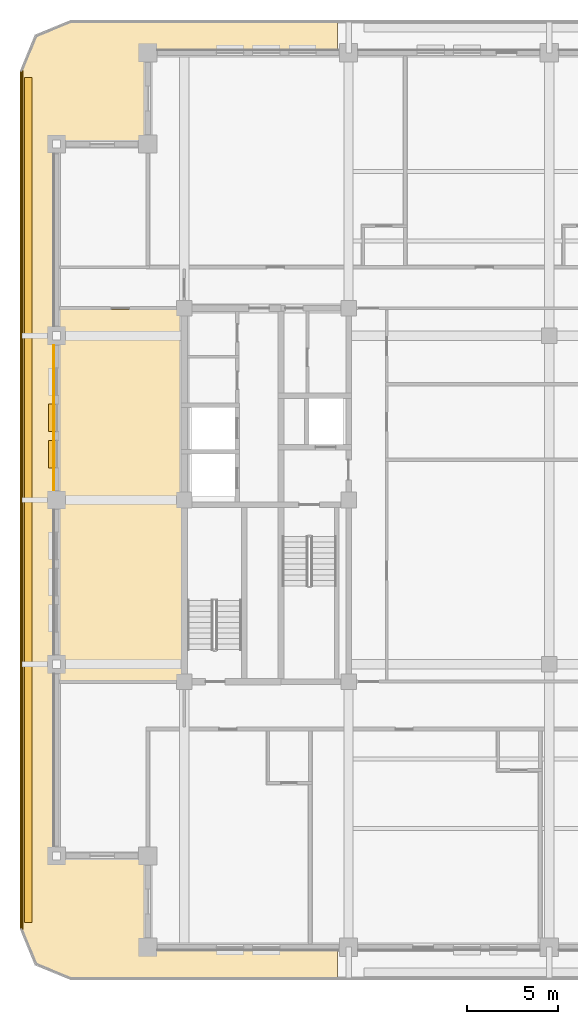
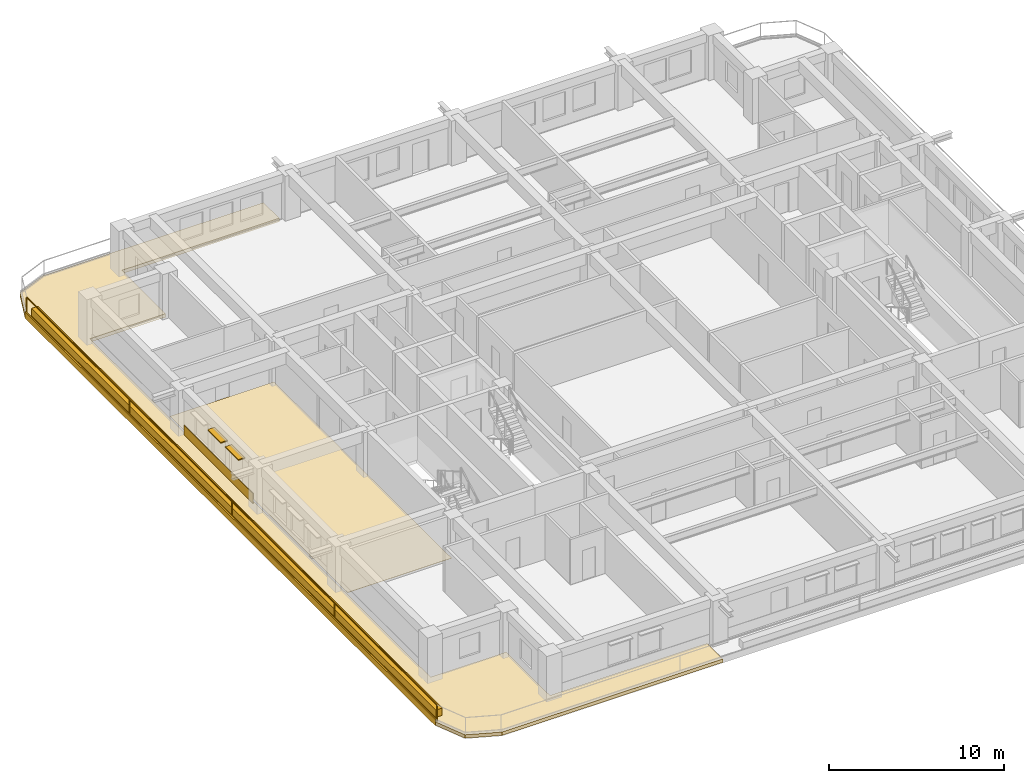
# One storey, part 10 of 14: 5 coverings, 2 shading devices, 1 railing.
"""IFC4 building model written with IfcOpenShell, lengths in metres."""

from ifc_helpers import new_model, si_unit, direction, frame, frame_2d, origin, origin_2d, place, context, subcontext, project, spatial, polyline, rectangle, outline, extrude, material, layer, layer_set, type_object, element, save


model = new_model("IFC4")

# Units and contexts
model_context = context("Model", 3, precision=1e-05, world=origin(), true_north=direction((0.0, 1.0)))
body_context = subcontext(model_context, "Body", "Model", "MODEL_VIEW")
ifc_project = project(units=[si_unit("LENGTHUNIT", "METRE"), si_unit("AREAUNIT", "SQUARE_METRE"), si_unit("VOLUMEUNIT", "CUBIC_METRE"), si_unit("PLANEANGLEUNIT", "RADIAN"), si_unit("MASSUNIT", "GRAM", prefix="KILO")], contexts=[model_context])

# Site, building, storey
site_placement = place(None, origin())
site = spatial("IfcSite", under=ifc_project, at=site_placement, CompositionType="ELEMENT")
building_placement = place(site_placement, origin())
building = spatial("IfcBuilding", under=site, at=building_placement, Name="Zulmaris Gate Convention Tower", CompositionType="ELEMENT")
storey_placement = place(building_placement, frame((0.0, 0.0, 198.260009765625)))
storey = spatial("IfcBuildingStorey", under=building, at=storey_placement, Name="L51", CompositionType="ELEMENT", Elevation=198.260009765625)

# Coverings
ifc_material_1 = material(Name="Precast concrete C40/50", Category="concrete")
ifc_layer_1 = layer(ifc_material_1, 0.0400390625, Name="Precast concrete C40/50")
ifc_layer_set_1 = layer_set([ifc_layer_1], Name="Precast concrete C40/50")
covering_type_1 = type_object("IfcCoveringType", Name="CLAD-SPANDREL-PRECAST", PredefinedType="CLADDING", material=ifc_layer_set_1)
covering_1_placement = place(storey_placement, frame((-27.14990234375, 8.469970703125, 0.0), z_axis=(0.0, 0.0, 1.0), x_axis=(0.0, -1.0, 0.0)))
element("IfcCovering", 1, at=covering_1_placement, inside=storey, type_object=covering_type_1, Name="CLD-L51-W-2_0", PredefinedType="CLADDING", context=body_context, shape_type="SweptSolid", body=[
    extrude(rectangle(XDim=7.93994140625, YDim=0.0400390625, at=frame_2d((3.969970703125, 0.0))), origin(), (0.0, 0.0, 1.0), 0.679931640625),
])
ifc_material_2 = material(Name="White Glazed Architectural Precast Concrete C40/50", Category="concrete")
ifc_layer_2 = layer(ifc_material_2, 0.239990234375, Name="White Glazed Architectural Precast Concrete C40/50")
ifc_layer_set_2 = layer_set([ifc_layer_2], Name="White Glazed Architectural Precast Concrete C40/50")
covering_type_2 = type_object("IfcCoveringType", Name="CLAD-TRAY-DECK", PredefinedType="CLADDING", material=ifc_layer_set_2)
covering_2_placement = place(storey_placement, frame((0.0, 0.0, -0.27490234375)))
element("IfcCovering", 2, at=covering_2_placement, inside=storey, type_object=covering_type_2, Name="L51 West Rounded-Fascia Planter Tray Deck", PredefinedType="CLADDING", context=body_context, shape_type="SweptSolid", body=[
    extrude(outline(polyline([(-29.0, 23.5), (-28.179931640625, 25.47998046875), (-26.199951171875, 26.300048828125), (-11.60205078125, 26.300048828125), (-11.60205078125, 24.5), (-22.0, 24.5), (-22.0, 19.5), (-27.0, 19.5), (-27.0, -19.5), (-22.0, -19.5), (-22.0, -24.5), (-11.60205078125, -24.5), (-11.60205078125, -26.300048828125), (-26.199951171875, -26.300048828125), (-28.179931640625, -25.47998046875), (-29.0, -23.5), (-29.0, 23.5)])), origin(), (0.0, 0.0, 1.0), 0.239990234375),
])
ifc_layer_3 = layer(ifc_material_2, 0.080078125, Name="White Glazed Architectural Precast Concrete C40/50")
ifc_layer_set_3 = layer_set([ifc_layer_3], Name="White Glazed Architectural Precast Concrete C40/50")
covering_type_3 = type_object("IfcCoveringType", Name="CLAD-TRAY-FASCIA", PredefinedType="CLADDING", material=ifc_layer_set_3)
covering_3_placement = place(storey_placement, frame((-28.9599609375, 23.5, -0.31494140625), z_axis=(0.0, 0.0, 1.0), x_axis=(0.0, -1.0, 0.0)))
element("IfcCovering", 3, at=covering_3_placement, inside=storey, type_object=covering_type_3, Name="FSC-L51-TR-11", PredefinedType="CLADDING", context=body_context, shape_type="SweptSolid", body=[
    extrude(rectangle(XDim=47.0, YDim=0.080078125, at=frame_2d((23.5, 0.0))), origin(), (0.0, 0.0, 1.0), 0.43994140625),
])
ifc_material_3 = material(Name="Engineered Teak Parquet Flooring")
ifc_layer_4 = layer(ifc_material_3, 0.02001953125, Name="Engineered Teak Parquet Flooring")
ifc_layer_set_4 = layer_set([ifc_layer_4], Name="Engineered Teak Parquet Flooring")
covering_type_4 = type_object("IfcCoveringType", Name="FLR-TIMBER-18", PredefinedType="FLOORING", material=ifc_layer_set_4)
covering_4_placement = place(storey_placement, origin())
element("IfcCovering", 4, at=covering_4_placement, inside=storey, type_object=covering_type_4, Name="FLR-L51-R54", PredefinedType="FLOORING", context=body_context, shape_type="SweptSolid", body=[
    extrude(outline(polyline([(-26.93994140625, -9.889892578125), (-20.06005859375, -9.889892578125), (-20.06005859375, 10.43994140625), (-26.93994140625, 10.43994140625), (-26.93994140625, -9.889892578125)])), origin(), (0.0, 0.0, 1.0), 0.02001953125),
])
ifc_material_4 = material(Name="Botanical Green Glazed Precast Concrete C40/50", Category="concrete")
ifc_layer_5 = layer(ifc_material_4, 0.419921875, Name="Botanical Green Glazed Precast Concrete C40/50")
ifc_layer_set_5 = layer_set([ifc_layer_5], Name="Botanical Green Glazed Precast Concrete C40/50")
covering_type_5 = type_object("IfcCoveringType", Name="PLANTER-BOX-200", PredefinedType="CLADDING", material=ifc_layer_set_5)
covering_5_placement = place(storey_placement, frame((0.0, 0.0, -0.034912109375)))
element("IfcCovering", 5, at=covering_5_placement, inside=storey, type_object=covering_type_5, Name="L51 W Full-Length Balcony Tree Planter Trough", PredefinedType="CLADDING", context=body_context, shape_type="SweptSolid", body=[
    extrude(outline(polyline([(-28.760009765625, -23.14990234375), (-28.340087890625, -23.14990234375), (-28.340087890625, 23.14990234375), (-28.760009765625, 23.14990234375), (-28.760009765625, -23.14990234375)])), origin(), (0.0, 0.0, 1.0), 0.52001953125),
])

# Railing
ifc_material_5 = material(Name="Laminated Glass and Stainless Steel", Category="steel")
railing_type = type_object("IfcRailingType", Name="RL-BALC-1150", PredefinedType="BALUSTRADE", material=ifc_material_5)
railing_placement = place(storey_placement, frame((-28.8798828125, 23.5, -0.034912109375)))
element("IfcRailing", 6, at=railing_placement, inside=storey, type_object=railing_type, Name="RL-L51-BALC-W", PredefinedType="BALUSTRADE", context=body_context, shape_type="SweptSolid", body=[
    extrude(rectangle(XDim=0.048095703125, YDim=0.048095703125, at=origin_2d()), frame((0.0, 0.0, 1.1259765625), z_axis=(0.0, -1.0, 0.0), x_axis=(1.0, 0.0, 0.0)), (0.0, 0.0, 1.0), 47.0),
    extrude(rectangle(XDim=0.048095703125, YDim=0.048095703125, at=origin_2d()), frame((0.0, 0.0, 0.02392578125), z_axis=(0.0, -1.0, 0.0), x_axis=(1.0, 0.0, 0.0)), (0.0, 0.0, 1.0), 47.0),
    extrude(rectangle(XDim=0.0419921875, YDim=0.0419921875, at=origin_2d()), origin(), (0.0, 0.0, 1.0), 1.101806640625),
    extrude(rectangle(XDim=0.0419921875, YDim=0.0419921875, at=origin_2d()), frame((0.0, -11.75, 0.0)), (0.0, 0.0, 1.0), 1.101806640625),
    extrude(rectangle(XDim=0.0419921875, YDim=0.0419921875, at=origin_2d()), frame((0.0, -23.5, 0.0)), (0.0, 0.0, 1.0), 1.101806640625),
    extrude(rectangle(XDim=0.0419921875, YDim=0.0419921875, at=origin_2d()), frame((0.0, -35.25, 0.0)), (0.0, 0.0, 1.0), 1.101806640625),
    extrude(rectangle(XDim=0.0419921875, YDim=0.0419921875, at=origin_2d()), frame((0.0, -47.0, 0.0)), (0.0, 0.0, 1.0), 1.101806640625),
])

# Shading devices
ifc_material_6 = material(Name="Glazed Ceramic Terracotta", Category="masonry")
ifc_layer_6 = layer(ifc_material_6, 0.070068359375, Name="Glazed Ceramic Terracotta")
ifc_layer_set_6 = layer_set([ifc_layer_6], Name="Glazed Ceramic Terracotta")
shading_device_type = type_object("IfcShadingDeviceType", Name="SHD-SUNSHADE-TC", PredefinedType="AWNING", material=ifc_layer_set_6)
for number, where, z_axis, x_axis, name in (
    (7, (-27.219970703125, 5.25, 2.35009765625), (0.0, 0.0, 1.0), (0.0, -1.0, 0.0), "SHD-EW-L51-W-2_0-2"),
    (8, (-27.219970703125, 3.264892578125, 2.35009765625), (0.0, 0.0, 1.0), (0.0, -1.0, 0.0), "SHD-EW-L51-W-2_0-3"),
):
    element("IfcShadingDevice", number, at=place(storey_placement, frame(where, z_axis=z_axis, x_axis=x_axis)), inside=storey, type_object=shading_device_type, Name=name, PredefinedType="AWNING", context=body_context, shape_type="SweptSolid", body=[
        extrude(rectangle(XDim=1.5, YDim=0.43994140625, at=frame_2d((0.75, 0.0))), origin(), (0.0, 0.0, 1.0), 0.06982421875),
    ])

save(model, "model.ifc")
